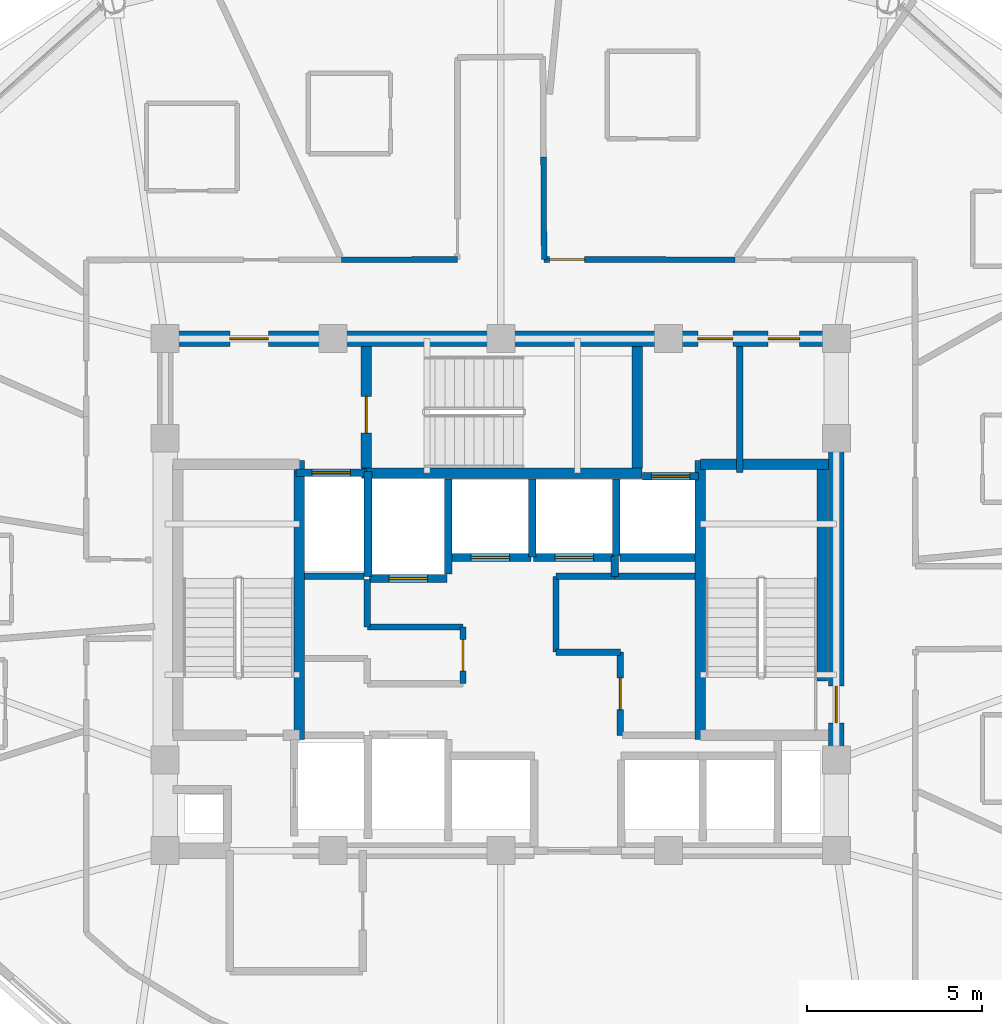
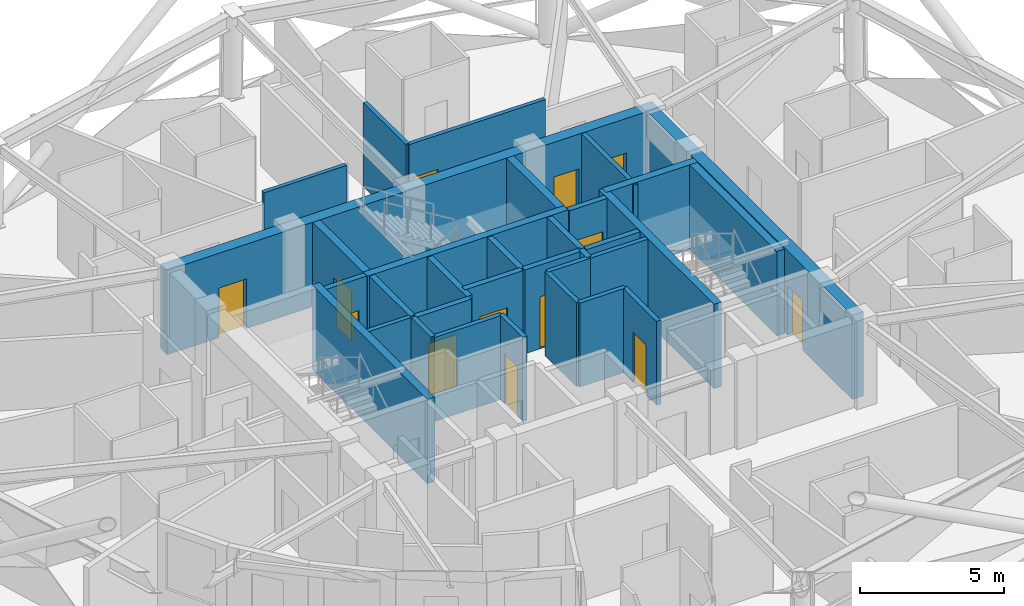
# One storey, part 12 of 18: 33 walls, 13 doors, 13 openings.
"""IFC4 building model written with IfcOpenShell, lengths in metres."""

from ifc_helpers import new_model, si_unit, direction, frame, frame_2d, origin, place, context, subcontext, project, spatial, rectangle, extrude, material, layer, layer_set, type_object, element, fill, save


model = new_model("IFC4")

# Units and contexts
model_context = context("Model", 3, precision=1e-05, world=origin(), true_north=direction((0.0, 1.0)))
body_context = subcontext(model_context, "Body", "Model", "MODEL_VIEW")
ifc_project = project(units=[si_unit("LENGTHUNIT", "METRE"), si_unit("AREAUNIT", "SQUARE_METRE"), si_unit("VOLUMEUNIT", "CUBIC_METRE"), si_unit("PLANEANGLEUNIT", "RADIAN"), si_unit("MASSUNIT", "GRAM", prefix="KILO")], contexts=[model_context])

# Site, building, storey
site_placement = place(None, origin())
site = spatial("IfcSite", under=ifc_project, at=site_placement, CompositionType="ELEMENT")
building_placement = place(site_placement, origin())
building = spatial("IfcBuilding", under=site, at=building_placement, Name="Vantalir Tower", CompositionType="ELEMENT")
storey_placement = place(building_placement, frame((0.0, 0.0, 212.39990234375)))
storey = spatial("IfcBuildingStorey", under=building, at=storey_placement, Name="L53", CompositionType="ELEMENT", Elevation=212.39990234375)

# Wall, openings, doors
ifc_material_1 = material(Name="Concrete C50/60", Category="concrete")
ifc_layer_1 = layer(ifc_material_1, 0.449951171875)
ifc_layer_set_1 = layer_set([ifc_layer_1], Name="Concrete C50/60")
wall_type_1 = type_object("IfcWallType", Name="WL-CORE-450", PredefinedType="SHEAR", material=ifc_layer_set_1)
wall_1_placement = place(storey_placement, frame((21.675048828125, 32.449951171875, 0.0), z_axis=(0.0, 0.0, 1.0), x_axis=(1.0, 0.0, 0.0)))
wall_1 = element("IfcWall", 1, at=wall_1_placement, inside=storey, type_object=wall_type_1, Name="L53 Core Shear Wall North", PredefinedType="SHEAR", context=body_context, shape_type="SweptSolid", body=[
    extrude(rectangle(XDim=19.64990234375, YDim=0.449951171875, at=frame_2d((9.824951171875, 0.0))), origin(), (0.0, 0.0, 1.0), 3.570068359375),
])
opening_1_placement = place(wall_1_placement, frame((2.074951171875, 0.0, 0.0)))
opening_1 = element("IfcOpeningElement", 2, at=opening_1_placement, cuts=wall_1, Name="Opening D-FFL", PredefinedType="OPENING", context=body_context, shape_type="SweptSolid", body=[
    extrude(rectangle(XDim=1.10009765625, YDim=2.10009765625, at=frame_2d((0.550048828125, 1.050048828125))), frame((0.0, 0.23486328125, 0.0), z_axis=(0.0, -1.0, 0.0), x_axis=(1.0, 0.0, 0.0)), (0.0, 0.0, 1.0), 0.469970703125),
])
opening_2_placement = place(wall_1_placement, frame((15.465087890625, 0.0, 0.0)))
opening_2 = element("IfcOpeningElement", 3, at=opening_2_placement, cuts=wall_1, Name="Opening D-GUEST", PredefinedType="OPENING", context=body_context, shape_type="SweptSolid", body=[
    extrude(rectangle(XDim=1.0, YDim=2.10009765625, at=frame_2d((0.5, 1.050048828125))), frame((0.0, 0.23486328125, 0.0), z_axis=(0.0, -1.0, 0.0), x_axis=(1.0, 0.0, 0.0)), (0.0, 0.0, 1.0), 0.469970703125),
])
opening_3_placement = place(wall_1_placement, frame((17.47509765625, 0.0, 0.0)))
opening_3 = element("IfcOpeningElement", 4, at=opening_3_placement, cuts=wall_1, Name="Opening D-CR", PredefinedType="OPENING", context=body_context, shape_type="SweptSolid", body=[
    extrude(rectangle(XDim=0.89990234375, YDim=2.10009765625, at=frame_2d((0.449951171875, 1.050048828125))), frame((0.0, 0.23486328125, 0.0), z_axis=(0.0, -1.0, 0.0), x_axis=(1.0, 0.0, 0.0)), (0.0, 0.0, 1.0), 0.469970703125),
])
ifc_material_2 = material(Name="Fire-rated steel core service door", Category="steel")
door_type_1 = type_object("IfcDoorType", Name="DR-CORE-SERV-900", OperationType="NOTDEFINED", PredefinedType="DOOR", material=ifc_material_2)
door_1_placement = place(opening_3_placement, frame((0.89990234375, 0.0, 0.0), z_axis=(0.0, 0.0, 1.0), x_axis=(-1.0, 0.0, 0.0)))
door_1 = element("IfcDoor", 5, at=door_1_placement, inside=storey, type_object=door_type_1, Name="L53 Housekeeping and Linen Room Door", OperationType="SINGLE_SWING_RIGHT", OverallHeight=2.10009765625, OverallWidth=0.89990234375, PredefinedType="DOOR", context=body_context, shape_type="SweptSolid", body=[
    extrude(rectangle(XDim=0.89990234375, YDim=2.10009765625, at=frame_2d((0.449951171875, 1.050048828125))), frame((0.0, 0.02490234375, 0.0), z_axis=(0.0, -1.0, 0.0), x_axis=(1.0, 0.0, 0.0)), (0.0, 0.0, 1.0), 0.050048828125),
])
fill(opening_3, door_1)
ifc_material_3 = material(Name="Fire-rated acoustic steel door", Category="steel")
door_type_2 = type_object("IfcDoorType", Name="DR-FIRE-LOBBY-1100", OperationType="NOTDEFINED", PredefinedType="DOOR", material=ifc_material_3)
door_2_placement = place(opening_1_placement, frame((1.10009765625, 0.0, 0.0), z_axis=(0.0, 0.0, 1.0), x_axis=(-1.0, 0.0, 0.0)))
door_2 = element("IfcDoor", 6, at=door_2_placement, inside=storey, type_object=door_type_2, Name="L53 Firefighting Lobby East Access Door", OperationType="SINGLE_SWING_LEFT", OverallHeight=2.10009765625, OverallWidth=1.10009765625, PredefinedType="DOOR", context=body_context, shape_type="SweptSolid", body=[
    extrude(rectangle(XDim=1.10009765625, YDim=2.10009765625, at=frame_2d((0.550048828125, 1.050048828125))), frame((0.0, 0.02490234375, 0.0), z_axis=(0.0, -1.0, 0.0), x_axis=(1.0, 0.0, 0.0)), (0.0, 0.0, 1.0), 0.050048828125),
])
fill(opening_1, door_2)
ifc_material_4 = material(Name="Solid-core teak veneer acoustic fire door", Category="wood")
door_type_3 = type_object("IfcDoorType", Name="DR-GUEST-ENTRY-1000", OperationType="NOTDEFINED", PredefinedType="DOOR", material=ifc_material_4)
door_3_placement = place(opening_2_placement, frame((1.0, 0.0, 0.0), z_axis=(0.0, 0.0, 1.0), x_axis=(-1.0, 0.0, 0.0)))
door_3 = element("IfcDoor", 7, at=door_3_placement, inside=storey, type_object=door_type_3, Name="L53 High-Rise Lift Lobby Door", OperationType="SINGLE_SWING_LEFT", OverallHeight=2.10009765625, OverallWidth=1.0, PredefinedType="DOOR", context=body_context, shape_type="SweptSolid", body=[
    extrude(rectangle(XDim=1.0, YDim=2.10009765625, at=frame_2d((0.5, 1.050048828125))), frame((0.0, 0.02490234375, 0.0), z_axis=(0.0, -1.0, 0.0), x_axis=(1.0, 0.0, 0.0)), (0.0, 0.0, 1.0), 0.050048828125),
])
fill(opening_2, door_3)

# Wall, opening, door
wall_2_placement = place(storey_placement, frame((41.10009765625, 18.02490234375, 0.0), z_axis=(0.0, 0.0, 1.0), x_axis=(0.0, 1.0, 0.0)))
wall_2 = element("IfcWall", 8, at=wall_2_placement, inside=storey, type_object=wall_type_1, Name="L53 Core Shear Wall East", PredefinedType="SHEAR", context=body_context, shape_type="SweptSolid", body=[
    extrude(rectangle(XDim=14.2001953125, YDim=0.449951171875, at=frame_2d((7.10009765625, 0.0))), origin(), (0.0, 0.0, 1.0), 3.570068359375),
])
opening_4_placement = place(wall_2_placement, frame((3.43505859375, 0.0, 0.0)))
opening_4 = element("IfcOpeningElement", 9, at=opening_4_placement, cuts=wall_2, Name="Opening D-ST", PredefinedType="OPENING", context=body_context, shape_type="SweptSolid", body=[
    extrude(rectangle(XDim=1.050048828125, YDim=2.10009765625, at=frame_2d((0.52490234375, 1.050048828125))), frame((0.0, 0.23486328125, 0.0), z_axis=(0.0, -1.0, 0.0), x_axis=(1.0, 0.0, 0.0)), (0.0, 0.0, 1.0), 0.469970703125),
])
ifc_material_5 = material(Name="Fire-rated steel door leaf", Category="steel")
door_type_4 = type_object("IfcDoorType", Name="DR-FIRE-STAIR-1050", OperationType="NOTDEFINED", PredefinedType="DOOR", material=ifc_material_5)
door_4_placement = place(opening_4_placement, origin())
door_4 = element("IfcDoor", 10, at=door_4_placement, inside=storey, type_object=door_type_4, Name="L53 Exit Stair ST2 Fire Door", OperationType="SINGLE_SWING_LEFT", OverallHeight=2.10009765625, OverallWidth=1.050048828125, PredefinedType="DOOR", context=body_context, shape_type="SweptSolid", body=[
    extrude(rectangle(XDim=1.050048828125, YDim=2.10009765625, at=frame_2d((0.52490234375, 1.050048828125))), frame((0.0, 0.02490234375, 0.0), z_axis=(0.0, -1.0, 0.0), x_axis=(1.0, 0.0, 0.0)), (0.0, 0.0, 1.0), 0.050048828125),
])
fill(opening_4, door_4)

# Walls
ifc_material_6 = material(Name="Fire-rated hotel corridor acoustic partition", Category="gypsum")
ifc_layer_2 = layer(ifc_material_6, 0.159912109375)
ifc_layer_set_2 = layer_set([ifc_layer_2], Name="Fire-rated hotel corridor acoustic partition")
wall_type_2 = type_object("IfcWallType", Name="WL-CORR-160", PredefinedType="PARTITIONING", material=ifc_layer_set_2)
wall_3_placement = place(storey_placement, frame((26.947021484375, 34.7099609375, 0.0), z_axis=(0.0, 0.0, 1.0), x_axis=(0.999998802576, 0.001547529466, 0.0)))
element("IfcWall", 11, at=wall_3_placement, inside=storey, type_object=wall_type_2, Name="L53 Corridor Partition 07", PredefinedType="PARTITIONING", context=body_context, shape_type="SweptSolid", body=[
    extrude(rectangle(XDim=3.31298828125, YDim=0.159912109375, at=frame_2d((1.656494140625, 0.0))), origin(), (0.0, 0.0, 1.0), 3.550048828125),
])
wall_4_placement = place(storey_placement, frame((32.721923828125, 37.64208984375, 0.0), z_axis=(0.0, 0.0, 1.0), x_axis=(0.006172207059, -0.999980951749, 0.0)))
element("IfcWall", 12, at=wall_4_placement, inside=storey, type_object=wall_type_2, Name="L53 Corridor Partition 11", PredefinedType="PARTITIONING", context=body_context, shape_type="SweptSolid", body=[
    extrude(rectangle(XDim=2.927001953125, YDim=0.159912109375, at=frame_2d((1.46337890625, 0.0))), origin(), (0.0, 0.0, 1.0), 3.550048828125),
])

# Wall, opening, door
wall_5_placement = place(storey_placement, frame((32.739990234375, 34.715087890625, 0.0), z_axis=(0.0, 0.0, 1.0), x_axis=(0.999999831231, -0.000580979523, 0.0)))
wall_5 = element("IfcWall", 13, at=wall_5_placement, inside=storey, type_object=wall_type_2, Name="L53 Corridor Partition 12", PredefinedType="PARTITIONING", context=body_context, shape_type="SweptSolid", body=[
    extrude(rectangle(XDim=5.462890625, YDim=0.159912109375, at=frame_2d((2.7314453125, 0.0))), origin(), (0.0, 0.0, 1.0), 3.550048828125),
])
opening_5_placement = place(wall_5_placement, frame((0.159912109375, 0.0, 0.0)))
opening_5 = element("IfcOpeningElement", 14, at=opening_5_placement, cuts=wall_5, Name="Opening D-GUEST", PredefinedType="OPENING", context=body_context, shape_type="SweptSolid", body=[
    extrude(rectangle(XDim=1.0, YDim=2.10009765625, at=frame_2d((0.5, 1.050048828125))), frame((0.0, 0.08984375, 0.0), z_axis=(0.0, -1.0, 0.0), x_axis=(1.0, 0.0, 0.0)), (0.0, 0.0, 1.0), 0.179931640625),
])
door_5_placement = place(opening_5_placement, origin())
door_5 = element("IfcDoor", 15, at=door_5_placement, inside=storey, type_object=door_type_3, Name="L53 Twin Queen Hotel Room 03 Door", OperationType="SINGLE_SWING_RIGHT", OverallHeight=2.10009765625, OverallWidth=1.0, PredefinedType="DOOR", context=body_context, shape_type="SweptSolid", body=[
    extrude(rectangle(XDim=1.0, YDim=2.10009765625, at=frame_2d((0.5, 1.050048828125))), frame((0.0, 0.02490234375, 0.0), z_axis=(0.0, -1.0, 0.0), x_axis=(1.0, 0.0, 0.0)), (0.0, 0.0, 1.0), 0.050048828125),
])
fill(opening_5, door_5)

# Walls
ifc_material_7 = material(Name="Concrete blockwork with fireboard lining", Category="masonry")
ifc_layer_3 = layer(ifc_material_7, 0.219970703125)
ifc_layer_set_3 = layer_set([ifc_layer_3], Name="Concrete blockwork with fireboard lining")
wall_type_3 = type_object("IfcWallType", Name="WL-FFL-220", PredefinedType="PARTITIONING", material=ifc_layer_set_3)
wall_6_placement = place(storey_placement, frame((30.0, 25.7099609375, 0.0), z_axis=(0.0, 0.0, 1.0), x_axis=(0.0, 1.0, 0.0)))
element("IfcWall", 16, at=wall_6_placement, inside=storey, type_object=wall_type_3, Name="L53 Service Lift SV2 East Shaft Wall", PredefinedType="PARTITIONING", context=body_context, shape_type="SweptSolid", body=[
    extrude(rectangle(XDim=2.72998046875, YDim=0.219970703125, at=frame_2d((1.364990234375, 0.0))), origin(), (0.0, 0.0, 1.0), 3.545166015625),
])
wall_7_placement = place(storey_placement, frame((32.39990234375, 26.199951171875, 0.0), z_axis=(0.0, 0.0, 1.0), x_axis=(0.0, 1.0, 0.0)))
element("IfcWall", 17, at=wall_7_placement, inside=storey, type_object=wall_type_3, Name="L53 High-Rise Lift PL-H1/H2 Shaft Divider", PredefinedType="PARTITIONING", context=body_context, shape_type="SweptSolid", body=[
    extrude(rectangle(XDim=2.239990234375, YDim=0.219970703125, at=frame_2d((1.1201171875, 0.0))), origin(), (0.0, 0.0, 1.0), 3.545166015625),
])
wall_8_placement = place(storey_placement, frame((34.800048828125, 26.22998046875, 0.0), z_axis=(0.0, 0.0, 1.0), x_axis=(0.0, 1.0, 0.0)))
element("IfcWall", 18, at=wall_8_placement, inside=storey, type_object=wall_type_3, Name="L53 High-Rise Lift PL-H2/H3 Shaft Divider", PredefinedType="PARTITIONING", context=body_context, shape_type="SweptSolid", body=[
    extrude(rectangle(XDim=2.2099609375, YDim=0.219970703125, at=frame_2d((1.10498046875, 0.0))), origin(), (0.0, 0.0, 1.0), 3.545166015625),
])
wall_9_placement = place(storey_placement, frame((34.909912109375, 26.18994140625, 0.0), z_axis=(0.0, 0.0, 1.0), x_axis=(1.0, 0.0, 0.0)))
element("IfcWall", 19, at=wall_9_placement, inside=storey, type_object=wall_type_3, Name="L53 High-Rise Lift PL-H3 Rear Shaft Wall", PredefinedType="PARTITIONING", context=body_context, shape_type="SweptSolid", body=[
    extrude(rectangle(XDim=2.14013671875, YDim=0.219970703125, at=frame_2d((1.070068359375, 0.0))), origin(), (0.0, 0.0, 1.0), 3.545166015625),
])

# Wall, opening, door
wall_10_placement = place(storey_placement, frame((25.639892578125, 28.610107421875, 0.0), z_axis=(0.0, 0.0, 1.0), x_axis=(1.0, 0.0, 0.0)))
wall_10 = element("IfcWall", 20, at=wall_10_placement, inside=storey, type_object=wall_type_3, Name="L53 Lift FL2 Shaft Front Wall", PredefinedType="PARTITIONING", context=body_context, shape_type="SweptSolid", body=[
    extrude(rectangle(XDim=2.02001953125, YDim=0.219970703125, at=frame_2d((1.010009765625, 0.0))), origin(), (0.0, 0.0, 1.0), 3.550048828125),
])
opening_6_placement = place(wall_10_placement, frame((0.4599609375, 0.0, 0.0)))
opening_6 = element("IfcOpeningElement", 21, at=opening_6_placement, cuts=wall_10, Name="Opening LD-FL2", PredefinedType="OPENING", context=body_context, shape_type="SweptSolid", body=[
    extrude(rectangle(XDim=1.10009765625, YDim=2.199951171875, at=frame_2d((0.550048828125, 1.10009765625))), frame((0.0, 0.119873046875, 0.0), z_axis=(0.0, -1.0, 0.0), x_axis=(1.0, 0.0, 0.0)), (0.0, 0.0, 1.0), 0.239990234375),
])
ifc_material_8 = material(Name="Brushed stainless-steel sliding lift landing door", Category="steel")
door_type_5 = type_object("IfcDoorType", Name="DR-LIFT-LANDING-1100", OperationType="DOUBLE_DOOR_SLIDING", PredefinedType="DOOR", material=ifc_material_8)
door_6_placement = place(opening_6_placement, origin())
door_6 = element("IfcDoor", 22, at=door_6_placement, inside=storey, type_object=door_type_5, Name="L53 Lift Landing Door FL2", OperationType="DOUBLE_DOOR_SLIDING", OverallHeight=2.199951171875, OverallWidth=1.10009765625, PredefinedType="DOOR", context=body_context, shape_type="SweptSolid", body=[
    extrude(rectangle(XDim=1.10009765625, YDim=2.199951171875, at=frame_2d((0.550048828125, 1.10009765625))), frame((0.0, 0.02490234375, 0.0), z_axis=(0.0, -1.0, 0.0), x_axis=(1.0, 0.0, 0.0)), (0.0, 0.0, 1.0), 0.050048828125),
])
fill(opening_6, door_6)

wall_11_placement = place(storey_placement, frame((27.739990234375, 25.590087890625, 0.0), z_axis=(0.0, 0.0, 1.0), x_axis=(1.0, 0.0, 0.0)))
wall_11 = element("IfcWall", 23, at=wall_11_placement, inside=storey, type_object=wall_type_3, Name="L53 Lift SV2 Shaft Front Wall", PredefinedType="PARTITIONING", context=body_context, shape_type="SweptSolid", body=[
    extrude(rectangle(XDim=2.219970703125, YDim=0.219970703125, at=frame_2d((1.10986328125, 0.0))), origin(), (0.0, 0.0, 1.0), 3.550048828125),
])
opening_7_placement = place(wall_11_placement, frame((0.56005859375, 0.0, 0.0)))
opening_7 = element("IfcOpeningElement", 24, at=opening_7_placement, cuts=wall_11, Name="Opening LD-SV2", PredefinedType="OPENING", context=body_context, shape_type="SweptSolid", body=[
    extrude(rectangle(XDim=1.10009765625, YDim=2.199951171875, at=frame_2d((0.550048828125, 1.10009765625))), frame((0.0, 0.119873046875, 0.0), z_axis=(0.0, -1.0, 0.0), x_axis=(1.0, 0.0, 0.0)), (0.0, 0.0, 1.0), 0.239990234375),
])
door_7_placement = place(opening_7_placement, frame((1.10009765625, 0.0, 0.0), z_axis=(0.0, 0.0, 1.0), x_axis=(-1.0, 0.0, 0.0)))
door_7 = element("IfcDoor", 25, at=door_7_placement, inside=storey, type_object=door_type_5, Name="L53 Lift Landing Door SV2", OperationType="DOUBLE_DOOR_SLIDING", OverallHeight=2.199951171875, OverallWidth=1.10009765625, PredefinedType="DOOR", context=body_context, shape_type="SweptSolid", body=[
    extrude(rectangle(XDim=1.10009765625, YDim=2.199951171875, at=frame_2d((0.550048828125, 1.10009765625))), frame((0.0, 0.02490234375, 0.0), z_axis=(0.0, -1.0, 0.0), x_axis=(1.0, 0.0, 0.0)), (0.0, 0.0, 1.0), 0.050048828125),
])
fill(opening_7, door_7)

wall_12_placement = place(storey_placement, frame((30.0400390625, 26.18994140625, 0.0), z_axis=(0.0, 0.0, 1.0), x_axis=(1.0, 0.0, 0.0)))
wall_12 = element("IfcWall", 26, at=wall_12_placement, inside=storey, type_object=wall_type_3, Name="L53 Lift PL-H1 Shaft Front Wall", PredefinedType="PARTITIONING", context=body_context, shape_type="SweptSolid", body=[
    extrude(rectangle(XDim=2.320068359375, YDim=0.219970703125, at=frame_2d((1.16015625, 0.0))), origin(), (0.0, 0.0, 1.0), 3.550048828125),
])
opening_8_placement = place(wall_12_placement, frame((0.610107421875, 0.0, 0.0)))
opening_8 = element("IfcOpeningElement", 27, at=opening_8_placement, cuts=wall_12, Name="Opening LD-PL-H1", PredefinedType="OPENING", context=body_context, shape_type="SweptSolid", body=[
    extrude(rectangle(XDim=1.10009765625, YDim=2.199951171875, at=frame_2d((0.550048828125, 1.10009765625))), frame((0.0, 0.119873046875, 0.0), z_axis=(0.0, -1.0, 0.0), x_axis=(1.0, 0.0, 0.0)), (0.0, 0.0, 1.0), 0.239990234375),
])
door_8_placement = place(opening_8_placement, frame((1.10009765625, 0.0, 0.0), z_axis=(0.0, 0.0, 1.0), x_axis=(-1.0, 0.0, 0.0)))
door_8 = element("IfcDoor", 28, at=door_8_placement, inside=storey, type_object=door_type_5, Name="L53 Lift Landing Door PL-H1", OperationType="DOUBLE_DOOR_SLIDING", OverallHeight=2.199951171875, OverallWidth=1.10009765625, PredefinedType="DOOR", context=body_context, shape_type="SweptSolid", body=[
    extrude(rectangle(XDim=1.10009765625, YDim=2.199951171875, at=frame_2d((0.550048828125, 1.10009765625))), frame((0.0, 0.02490234375, 0.0), z_axis=(0.0, -1.0, 0.0), x_axis=(1.0, 0.0, 0.0)), (0.0, 0.0, 1.0), 0.050048828125),
])
fill(opening_8, door_8)

wall_13_placement = place(storey_placement, frame((32.43994140625, 26.18994140625, 0.0), z_axis=(0.0, 0.0, 1.0), x_axis=(1.0, 0.0, 0.0)))
wall_13 = element("IfcWall", 29, at=wall_13_placement, inside=storey, type_object=wall_type_3, Name="L53 Lift PL-H2 Shaft Front Wall", PredefinedType="PARTITIONING", context=body_context, shape_type="SweptSolid", body=[
    extrude(rectangle(XDim=2.320068359375, YDim=0.219970703125, at=frame_2d((1.16015625, 0.0))), origin(), (0.0, 0.0, 1.0), 3.550048828125),
])
opening_9_placement = place(wall_13_placement, frame((0.610107421875, 0.0, 0.0)))
opening_9 = element("IfcOpeningElement", 30, at=opening_9_placement, cuts=wall_13, Name="Opening LD-PL-H2", PredefinedType="OPENING", context=body_context, shape_type="SweptSolid", body=[
    extrude(rectangle(XDim=1.10009765625, YDim=2.199951171875, at=frame_2d((0.550048828125, 1.10009765625))), frame((0.0, 0.119873046875, 0.0), z_axis=(0.0, -1.0, 0.0), x_axis=(1.0, 0.0, 0.0)), (0.0, 0.0, 1.0), 0.239990234375),
])
door_9_placement = place(opening_9_placement, frame((1.10009765625, 0.0, 0.0), z_axis=(0.0, 0.0, 1.0), x_axis=(-1.0, 0.0, 0.0)))
door_9 = element("IfcDoor", 31, at=door_9_placement, inside=storey, type_object=door_type_5, Name="L53 Lift Landing Door PL-H2", OperationType="DOUBLE_DOOR_SLIDING", OverallHeight=2.199951171875, OverallWidth=1.10009765625, PredefinedType="DOOR", context=body_context, shape_type="SweptSolid", body=[
    extrude(rectangle(XDim=1.10009765625, YDim=2.199951171875, at=frame_2d((0.550048828125, 1.10009765625))), frame((0.0, 0.02490234375, 0.0), z_axis=(0.0, -1.0, 0.0), x_axis=(1.0, 0.0, 0.0)), (0.0, 0.0, 1.0), 0.050048828125),
])
fill(opening_9, door_9)

wall_14_placement = place(storey_placement, frame((35.56005859375, 28.510009765625, 0.0), z_axis=(0.0, 0.0, 1.0), x_axis=(1.0, 0.0, 0.0)))
wall_14 = element("IfcWall", 32, at=wall_14_placement, inside=storey, type_object=wall_type_3, Name="L53 Lift PL-H3 Shaft Front Wall", PredefinedType="PARTITIONING", context=body_context, shape_type="SweptSolid", body=[
    extrude(rectangle(XDim=1.599853515625, YDim=0.219970703125, at=frame_2d((0.7998046875, 0.0))), origin(), (0.0, 0.0, 1.0), 3.550048828125),
])
opening_10_placement = place(wall_14_placement, frame((0.25, 0.0, 0.0)))
opening_10 = element("IfcOpeningElement", 33, at=opening_10_placement, cuts=wall_14, Name="Opening LD-PL-H3", PredefinedType="OPENING", context=body_context, shape_type="SweptSolid", body=[
    extrude(rectangle(XDim=1.10009765625, YDim=2.199951171875, at=frame_2d((0.550048828125, 1.10009765625))), frame((0.0, 0.119873046875, 0.0), z_axis=(0.0, -1.0, 0.0), x_axis=(1.0, 0.0, 0.0)), (0.0, 0.0, 1.0), 0.239990234375),
])
door_10_placement = place(opening_10_placement, origin())
door_10 = element("IfcDoor", 34, at=door_10_placement, inside=storey, type_object=door_type_5, Name="L53 Lift Landing Door PL-H3", OperationType="DOUBLE_DOOR_SLIDING", OverallHeight=2.199951171875, OverallWidth=1.10009765625, PredefinedType="DOOR", context=body_context, shape_type="SweptSolid", body=[
    extrude(rectangle(XDim=1.10009765625, YDim=2.199951171875, at=frame_2d((0.550048828125, 1.10009765625))), frame((0.0, 0.02490234375, 0.0), z_axis=(0.0, -1.0, 0.0), x_axis=(1.0, 0.0, 0.0)), (0.0, 0.0, 1.0), 0.050048828125),
])
fill(opening_10, door_10)

# Walls
wall_15_placement = place(storey_placement, frame((27.699951171875, 25.64990234375, 0.0), z_axis=(0.0, 0.0, 1.0), x_axis=(0.0, 1.0, 0.0)))
element("IfcWall", 35, at=wall_15_placement, inside=storey, type_object=wall_type_3, Name="L53 Fire Lift FL2 Dividing Wall", PredefinedType="PARTITIONING", context=body_context, shape_type="SweptSolid", body=[
    extrude(rectangle(XDim=3.0, YDim=0.219970703125, at=frame_2d((1.5, 0.0))), origin(), (0.0, 0.0, 1.0), 3.550048828125),
])
wall_16_placement = place(storey_placement, frame((34.760009765625, 25.64990234375, 0.0), z_axis=(0.0, 0.0, 1.0), x_axis=(0.0, 1.0, 0.0)))
element("IfcWall", 36, at=wall_16_placement, inside=storey, type_object=wall_type_3, Name="L53 High-Rise Shaft Shoulder Wall", PredefinedType="PARTITIONING", context=body_context, shape_type="SweptSolid", body=[
    extrude(rectangle(XDim=0.570068359375, YDim=0.219970703125, at=frame_2d((0.28515625, 0.0))), origin(), (0.0, 0.0, 1.0), 3.550048828125),
])
ifc_material_9 = material(Name="Twin-stud acoustic fire-rated gypsum partition", Category="gypsum")
ifc_layer_4 = layer(ifc_material_9, 0.179931640625)
ifc_layer_set_4 = layer_set([ifc_layer_4], Name="Twin-stud acoustic fire-rated gypsum partition")
wall_type_4 = type_object("IfcWallType", Name="WL-GUEST-180", PredefinedType="PARTITIONING", material=ifc_layer_set_4)
wall_17_placement = place(storey_placement, frame((25.889892578125, 25.64990234375, 0.0), z_axis=(0.0, 0.0, 1.0), x_axis=(1.0, 0.0, 0.0)))
element("IfcWall", 37, at=wall_17_placement, inside=storey, type_object=wall_type_4, Name="L53 Freed West Core North Wall", PredefinedType="PARTITIONING", context=body_context, shape_type="SweptSolid", body=[
    extrude(rectangle(XDim=1.7001953125, YDim=0.179931640625, at=frame_2d((0.85009765625, 0.0))), origin(), (0.0, 0.0, 1.0), 3.550048828125),
])

# Wall, opening, door
wall_18_placement = place(storey_placement, frame((30.419921875, 22.580078125, 0.0), z_axis=(0.0, 0.0, 1.0), x_axis=(0.0, 1.0, 0.0)))
wall_18 = element("IfcWall", 38, at=wall_18_placement, inside=storey, type_object=wall_type_4, Name="L53 West Linen Alcove East Wall", PredefinedType="PARTITIONING", context=body_context, shape_type="SweptSolid", body=[
    extrude(rectangle(XDim=1.619873046875, YDim=0.179931640625, at=frame_2d((0.81005859375, 0.0))), origin(), (0.0, 0.0, 1.0), 3.550048828125),
])
opening_11_placement = place(wall_18_placement, frame((0.360107421875, 0.0, 0.0)))
opening_11 = element("IfcOpeningElement", 39, at=opening_11_placement, cuts=wall_18, Name="Opening D-CR", PredefinedType="OPENING", context=body_context, shape_type="SweptSolid", body=[
    extrude(rectangle(XDim=0.89990234375, YDim=2.10009765625, at=frame_2d((0.449951171875, 1.050048828125))), frame((0.0, 0.099853515625, 0.0), z_axis=(0.0, -1.0, 0.0), x_axis=(1.0, 0.0, 0.0)), (0.0, 0.0, 1.0), 0.199951171875),
])
door_11_placement = place(opening_11_placement, origin())
door_11 = element("IfcDoor", 40, at=door_11_placement, inside=storey, type_object=door_type_1, Name="L53 Core Linen Store Door", OperationType="SINGLE_SWING_LEFT", OverallHeight=2.10009765625, OverallWidth=0.89990234375, PredefinedType="DOOR", context=body_context, shape_type="SweptSolid", body=[
    extrude(rectangle(XDim=0.89990234375, YDim=2.10009765625, at=frame_2d((0.449951171875, 1.050048828125))), frame((0.0, 0.02490234375, 0.0), z_axis=(0.0, -1.0, 0.0), x_axis=(1.0, 0.0, 0.0)), (0.0, 0.0, 1.0), 0.050048828125),
])
fill(opening_11, door_11)

# Walls
wall_19_placement = place(storey_placement, frame((27.679931640625, 24.199951171875, 0.0), z_axis=(0.0, 0.0, 1.0), x_axis=(1.0, 0.0, 0.0)))
element("IfcWall", 41, at=wall_19_placement, inside=storey, type_object=wall_type_4, Name="L53 West Linen Alcove North Wall", PredefinedType="PARTITIONING", context=body_context, shape_type="SweptSolid", body=[
    extrude(rectangle(XDim=2.739990234375, YDim=0.179931640625, at=frame_2d((1.3701171875, 0.0))), origin(), (0.0, 0.0, 1.0), 3.550048828125),
])
wall_20_placement = place(storey_placement, frame((27.679931640625, 24.199951171875, 0.0), z_axis=(0.0, 0.0, 1.0), x_axis=(0.0, 1.0, 0.0)))
element("IfcWall", 42, at=wall_20_placement, inside=storey, type_object=wall_type_4, Name="L53 West Linen Upper East Wall", PredefinedType="PARTITIONING", context=body_context, shape_type="SweptSolid", body=[
    extrude(rectangle(XDim=1.360107421875, YDim=0.179931640625, at=frame_2d((0.68017578125, 0.0))), origin(), (0.0, 0.0, 1.0), 3.550048828125),
])
wall_21_placement = place(storey_placement, frame((34.719970703125, 25.64990234375, 0.0), z_axis=(0.0, 0.0, 1.0), x_axis=(1.0, 0.0, 0.0)))
element("IfcWall", 43, at=wall_21_placement, inside=storey, type_object=wall_type_4, Name="L53 Freed East Core North Wall", PredefinedType="PARTITIONING", context=body_context, shape_type="SweptSolid", body=[
    extrude(rectangle(XDim=2.340087890625, YDim=0.179931640625, at=frame_2d((1.169921875, 0.0))), origin(), (0.0, 0.0, 1.0), 3.550048828125),
])
wall_22_placement = place(storey_placement, frame((33.080078125, 25.64990234375, 0.0), z_axis=(0.0, 0.0, 1.0), x_axis=(1.0, 0.0, 0.0)))
element("IfcWall", 44, at=wall_22_placement, inside=storey, type_object=wall_type_4, Name="L53 East Core Alcove North Wall", PredefinedType="PARTITIONING", context=body_context, shape_type="SweptSolid", body=[
    extrude(rectangle(XDim=1.679931640625, YDim=0.179931640625, at=frame_2d((0.83984375, 0.0))), origin(), (0.0, 0.0, 1.0), 3.550048828125),
])
wall_23_placement = place(storey_placement, frame((33.080078125, 23.47998046875, 0.0), z_axis=(0.0, 0.0, 1.0), x_axis=(0.0, 1.0, 0.0)))
element("IfcWall", 45, at=wall_23_placement, inside=storey, type_object=wall_type_4, Name="L53 East Core Alcove West Wall", PredefinedType="PARTITIONING", context=body_context, shape_type="SweptSolid", body=[
    extrude(rectangle(XDim=2.169921875, YDim=0.179931640625, at=frame_2d((1.0849609375, 0.0))), origin(), (0.0, 0.0, 1.0), 3.550048828125),
])
wall_24_placement = place(storey_placement, frame((33.080078125, 23.47998046875, 0.0), z_axis=(0.0, 0.0, 1.0), x_axis=(1.0, 0.0, 0.0)))
element("IfcWall", 46, at=wall_24_placement, inside=storey, type_object=wall_type_4, Name="L53 East Core Alcove South Wall", PredefinedType="PARTITIONING", context=body_context, shape_type="SweptSolid", body=[
    extrude(rectangle(XDim=1.83984375, YDim=0.179931640625, at=frame_2d((0.919921875, 0.0))), origin(), (0.0, 0.0, 1.0), 3.550048828125),
])

# Wall, opening, door
wall_25_placement = place(storey_placement, frame((34.919921875, 21.10009765625, 0.0), z_axis=(0.0, 0.0, 1.0), x_axis=(0.0, 1.0, 0.0)))
wall_25 = element("IfcWall", 47, at=wall_25_placement, inside=storey, type_object=wall_type_4, Name="L53 East Core Lower West Wall", PredefinedType="PARTITIONING", context=body_context, shape_type="SweptSolid", body=[
    extrude(rectangle(XDim=2.3798828125, YDim=0.179931640625, at=frame_2d((1.18994140625, 0.0))), origin(), (0.0, 0.0, 1.0), 3.550048828125),
])
opening_12_placement = place(wall_25_placement, frame((0.739990234375, 0.0, 0.0)))
opening_12 = element("IfcOpeningElement", 48, at=opening_12_placement, cuts=wall_25, Name="Opening D-CR", PredefinedType="OPENING", context=body_context, shape_type="SweptSolid", body=[
    extrude(rectangle(XDim=0.89990234375, YDim=2.10009765625, at=frame_2d((0.449951171875, 1.050048828125))), frame((0.0, 0.099853515625, 0.0), z_axis=(0.0, -1.0, 0.0), x_axis=(1.0, 0.0, 0.0)), (0.0, 0.0, 1.0), 0.199951171875),
])
door_12_placement = place(opening_12_placement, frame((0.89990234375, 0.0, 0.0), z_axis=(0.0, 0.0, 1.0), x_axis=(-1.0, 0.0, 0.0)))
door_12 = element("IfcDoor", 49, at=door_12_placement, inside=storey, type_object=door_type_1, Name="L53 Core Telecoms Door", OperationType="SINGLE_SWING_LEFT", OverallHeight=2.10009765625, OverallWidth=0.89990234375, PredefinedType="DOOR", context=body_context, shape_type="SweptSolid", body=[
    extrude(rectangle(XDim=0.89990234375, YDim=2.10009765625, at=frame_2d((0.449951171875, 1.050048828125))), frame((0.0, 0.02490234375, 0.0), z_axis=(0.0, -1.0, 0.0), x_axis=(1.0, 0.0, 0.0)), (0.0, 0.0, 1.0), 0.050048828125),
])
fill(opening_12, door_12)

# Walls
wall_26_placement = place(storey_placement, frame((38.340087890625, 28.6201171875, 0.0), z_axis=(0.0, 0.0, 1.0), x_axis=(0.0, 1.0, 0.0)))
element("IfcWall", 50, at=wall_26_placement, inside=storey, type_object=wall_type_4, Name="L53 High-Rise Lift Lobby East Wall", PredefinedType="PARTITIONING", context=body_context, shape_type="SweptSolid", body=[
    extrude(rectangle(XDim=3.60498046875, YDim=0.179931640625, at=frame_2d((1.802490234375, 0.0))), origin(), (0.0, 0.0, 1.0), 3.550048828125),
])
ifc_layer_5 = layer(ifc_material_1, 0.300048828125)
ifc_layer_set_5 = layer_set([ifc_layer_5], Name="Concrete C50/60")
wall_type_5 = type_object("IfcWallType", Name="WL-STAIR-300", PredefinedType="SHEAR", material=ifc_layer_set_5)
wall_27_placement = place(storey_placement, frame((25.739990234375, 20.97998046875, 0.0), z_axis=(0.0, 0.0, 1.0), x_axis=(0.0, 1.0, 0.0)))
element("IfcWall", 51, at=wall_27_placement, inside=storey, type_object=wall_type_5, Name="L53 Stair ST1 East Wall", PredefinedType="SHEAR", context=body_context, shape_type="SweptSolid", body=[
    extrude(rectangle(XDim=7.989990234375, YDim=0.300048828125, at=frame_2d((3.9951171875, 0.0))), origin(), (0.0, 0.0, 1.0), 3.570068359375),
])
wall_28_placement = place(storey_placement, frame((37.2099609375, 28.85009765625, 0.0), z_axis=(0.0, 0.0, 1.0), x_axis=(1.0, 0.0, 0.0)))
element("IfcWall", 52, at=wall_28_placement, inside=storey, type_object=wall_type_5, Name="L53 Stair ST2 North Wall", PredefinedType="SHEAR", context=body_context, shape_type="SweptSolid", body=[
    extrude(rectangle(XDim=3.6650390625, YDim=0.300048828125, at=frame_2d((1.83251953125, 0.0))), origin(), (0.0, 0.0, 1.0), 3.570068359375),
])
wall_29_placement = place(storey_placement, frame((37.2099609375, 20.97998046875, 0.0), z_axis=(0.0, 0.0, 1.0), x_axis=(0.0, 1.0, 0.0)))
element("IfcWall", 53, at=wall_29_placement, inside=storey, type_object=wall_type_5, Name="L53 Stair ST2 West Wall", PredefinedType="SHEAR", context=body_context, shape_type="SweptSolid", body=[
    extrude(rectangle(XDim=7.989990234375, YDim=0.300048828125, at=frame_2d((3.9951171875, 0.0))), origin(), (0.0, 0.0, 1.0), 3.570068359375),
])
wall_30_placement = place(storey_placement, frame((40.68994140625, 22.64990234375, 0.0), z_axis=(0.0, 0.0, 1.0), x_axis=(0.0, 1.0, 0.0)))
element("IfcWall", 54, at=wall_30_placement, inside=storey, type_object=wall_type_5, Name="L53 Stair ST2 East Liner Wall", PredefinedType="SHEAR", context=body_context, shape_type="SweptSolid", body=[
    extrude(rectangle(XDim=6.2001953125, YDim=0.300048828125, at=frame_2d((3.10009765625, 0.0))), origin(), (0.0, 0.0, 1.0), 3.570068359375),
])
wall_31_placement = place(storey_placement, frame((27.510009765625, 28.60009765625, 0.0), z_axis=(0.0, 0.0, 1.0), x_axis=(1.0, 0.0, 0.0)))
element("IfcWall", 55, at=wall_31_placement, inside=storey, type_object=wall_type_5, Name="L53 Stair ST3 South Wall", PredefinedType="SHEAR", context=body_context, shape_type="SweptSolid", body=[
    extrude(rectangle(XDim=8.030029296875, YDim=0.300048828125, at=frame_2d((4.01513671875, 0.0))), origin(), (0.0, 0.0, 1.0), 3.570068359375),
])

# Wall, opening, door
wall_32_placement = place(storey_placement, frame((27.64990234375, 28.75, 0.0), z_axis=(0.0, 0.0, 1.0), x_axis=(0.0, 1.0, 0.0)))
wall_32 = element("IfcWall", 56, at=wall_32_placement, inside=storey, type_object=wall_type_5, Name="L53 Stair ST3 West Wall", PredefinedType="SHEAR", context=body_context, shape_type="SweptSolid", body=[
    extrude(rectangle(XDim=3.47509765625, YDim=0.300048828125, at=frame_2d((1.737548828125, 0.0))), origin(), (0.0, 0.0, 1.0), 3.570068359375),
])
opening_13_placement = place(wall_32_placement, frame((1.0, 0.0, 0.0)))
opening_13 = element("IfcOpeningElement", 57, at=opening_13_placement, cuts=wall_32, Name="Opening D-ST", PredefinedType="OPENING", context=body_context, shape_type="SweptSolid", body=[
    extrude(rectangle(XDim=1.050048828125, YDim=2.10009765625, at=frame_2d((0.52490234375, 1.050048828125))), frame((0.0, 0.159912109375, 0.0), z_axis=(0.0, -1.0, 0.0), x_axis=(1.0, 0.0, 0.0)), (0.0, 0.0, 1.0), 0.320068359375),
])
door_13_placement = place(opening_13_placement, frame((1.050048828125, 0.0, 0.0), z_axis=(0.0, 0.0, 1.0), x_axis=(-1.0, 0.0, 0.0)))
door_13 = element("IfcDoor", 58, at=door_13_placement, inside=storey, type_object=door_type_4, Name="L53 Exit Stair ST3 Fire Door", OperationType="SINGLE_SWING_RIGHT", OverallHeight=2.10009765625, OverallWidth=1.050048828125, PredefinedType="DOOR", context=body_context, shape_type="SweptSolid", body=[
    extrude(rectangle(XDim=1.050048828125, YDim=2.10009765625, at=frame_2d((0.52490234375, 1.050048828125))), frame((0.0, 0.02490234375, 0.0), z_axis=(0.0, -1.0, 0.0), x_axis=(1.0, 0.0, 0.0)), (0.0, 0.0, 1.0), 0.050048828125),
])
fill(opening_13, door_13)

# Wall
wall_33_placement = place(storey_placement, frame((35.39990234375, 28.75, 0.0), z_axis=(0.0, 0.0, 1.0), x_axis=(0.0, 1.0, 0.0)))
element("IfcWall", 59, at=wall_33_placement, inside=storey, type_object=wall_type_5, Name="L53 Stair ST3 East Wall", PredefinedType="SHEAR", context=body_context, shape_type="SweptSolid", body=[
    extrude(rectangle(XDim=3.47509765625, YDim=0.300048828125, at=frame_2d((1.737548828125, 0.0))), origin(), (0.0, 0.0, 1.0), 3.570068359375),
])

save(model, "model.ifc")
